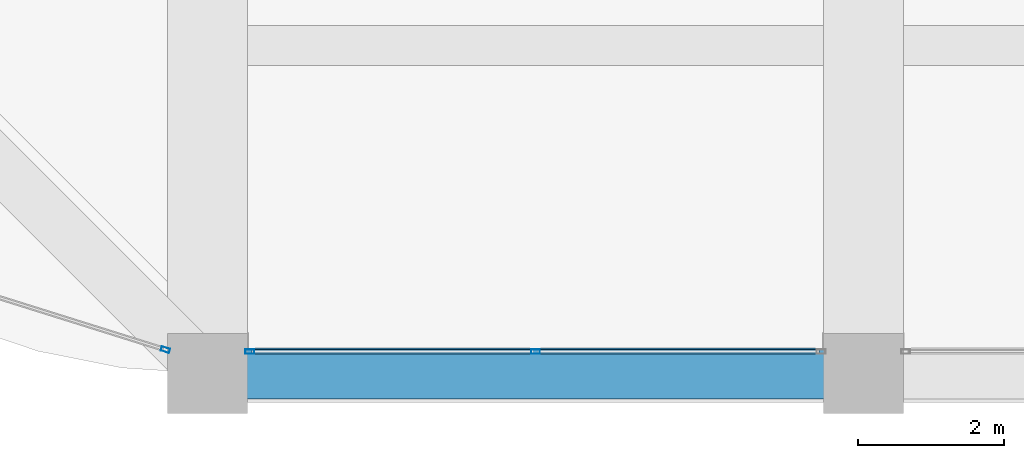
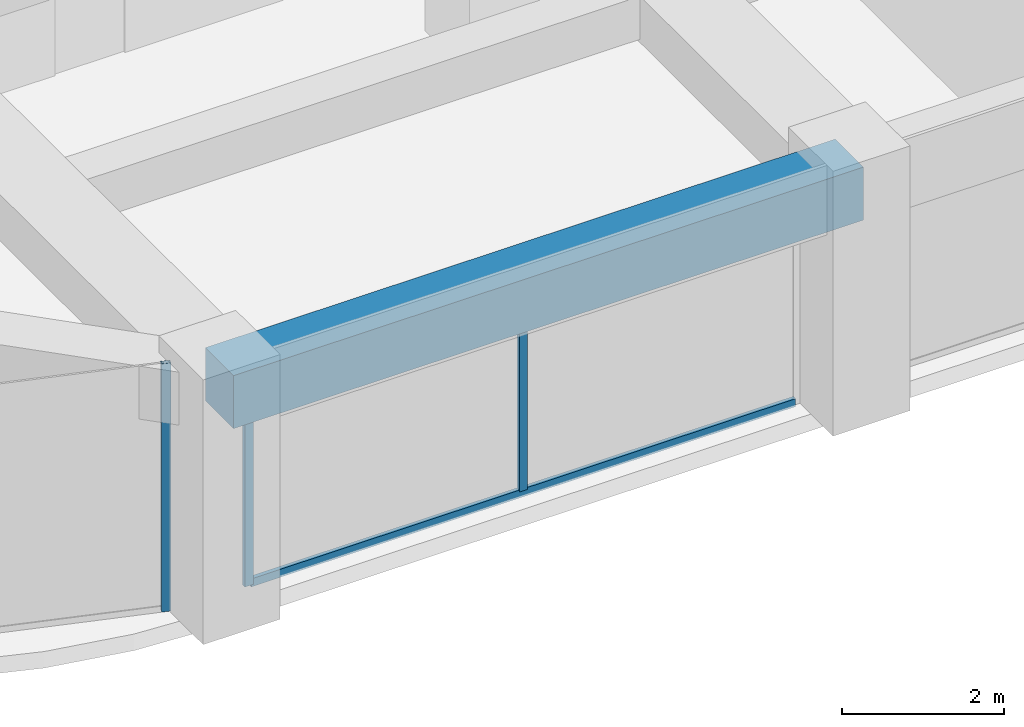
# One storey, part 4 of 44: 4 members, 1 beam, 2 elements without a shape of their own.
"""IFC4 building model written with IfcOpenShell, lengths in metres."""

import ifcopenshell
import ifcopenshell.guid

model = None  # the IFC model being written
_history = None  # IfcOwnerHistory: only IFC2X3 demands one
_inside = {}  # id of a spatial element -> (the spatial element, [elements in it])
_under = {}  # id of a project, library or spatial element -> (it, [spatial elements below it])
_declared = {}  # id of a project -> (the project, [libraries it declares])
_typed = {}  # id of a type object -> (the type object, [elements of that type])
_made_of = {}  # id of a material, layer set ... -> (it, [elements and type objects made of it])


def new_model(schema):
    """Start an empty IFC model of exactly this schema.

    Asked for "IFC4X3", IfcOpenShell would pick the latest addendum, in which some entities
    have other attributes; the version numbers below select the first issue.
    IFC2X3 requires an IfcOwnerHistory on every rooted entity: one is made here for all.
    """
    global model, _history
    if schema == "IFC4X3":
        model = ifcopenshell.file(schema_version=(4, 3, 0, 0))
    else:
        model = ifcopenshell.file(schema=schema)
    _inside.clear()
    _under.clear()
    _declared.clear()
    _typed.clear()
    _made_of.clear()
    _history = None
    if model.schema == "IFC2X3":
        org = make("IfcOrganization", Name="unknown")
        user = make(
            "IfcPersonAndOrganization",
            ThePerson=make("IfcPerson", FamilyName="unknown"),
            TheOrganization=org,
        )
        app = make(
            "IfcApplication",
            ApplicationDeveloper=org,
            Version="unknown",
            ApplicationFullName="unknown",
            ApplicationIdentifier="unknown",
        )
        _history = make(
            "IfcOwnerHistory",
            OwningUser=user,
            OwningApplication=app,
            ChangeAction="ADDED",
            CreationDate=0,
        )
    return model


def make(cls, **values):
    """One entity of the class cls with the attributes given. An attribute that is None is left unset."""
    return model.create_entity(
        cls, **{name: value for name, value in values.items() if value is not None}
    )


def rooted(cls, **values):
    """An entity with a GlobalId (a new one), such as an element, a storey or a relation."""
    return make(cls, GlobalId=ifcopenshell.guid.new(), OwnerHistory=_history, **values)


def si_unit(unit_type, name, prefix=None):
    """IfcSIUnit, for example si_unit("LENGTHUNIT", "METRE", prefix="MILLI")."""
    return make("IfcSIUnit", UnitType=unit_type, Prefix=prefix, Name=name)


def assignment(units):
    """IfcUnitAssignment: the units of a project."""
    return None if units is None else make("IfcUnitAssignment", Units=units)


def point(xyz):
    """IfcCartesianPoint."""
    return None if xyz is None else make("IfcCartesianPoint", Coordinates=xyz)


def direction(xyz):
    """IfcDirection."""
    return None if xyz is None else make("IfcDirection", DirectionRatios=xyz)


def frame(location, z_axis=None, x_axis=None):
    """IfcAxis2Placement3D, a coordinate frame: its origin and axes. An axis left out is left unset."""
    return make(
        "IfcAxis2Placement3D",
        Location=point(location),
        Axis=direction(z_axis),
        RefDirection=direction(x_axis),
    )


def frame_2d(location, x_axis=None):
    """IfcAxis2Placement2D, a coordinate frame in the plane: its origin and x axis."""
    return make(
        "IfcAxis2Placement2D", Location=point(location), RefDirection=direction(x_axis)
    )


def origin():
    """The frame at (0, 0, 0) with its axes left unset."""
    return frame((0.0, 0.0, 0.0))


def origin_2d():
    """The frame at (0, 0) in the plane with its x axis left unset."""
    return frame_2d((0.0, 0.0))


def place(relative_to, where):
    """IfcLocalPlacement: puts the frame where relative to a parent placement (None: the world)."""
    return make(
        "IfcLocalPlacement", PlacementRelTo=relative_to, RelativePlacement=where
    )


def context(
    kind, dimensions, precision=None, world=None, true_north=None, identifier=None
):
    """IfcGeometricRepresentationContext, for example the 3D "Model" context."""
    return make(
        "IfcGeometricRepresentationContext",
        ContextIdentifier=identifier,
        ContextType=kind,
        CoordinateSpaceDimension=dimensions,
        Precision=precision,
        WorldCoordinateSystem=world,
        TrueNorth=true_north,
    )


def subcontext(parent, identifier, kind, view, scale=None):
    """IfcGeometricRepresentationSubContext, for example "Body" below "Model"."""
    return make(
        "IfcGeometricRepresentationSubContext",
        ContextIdentifier=identifier,
        ContextType=kind,
        ParentContext=parent,
        TargetScale=scale,
        TargetView=view,
    )


def project(units=None, contexts=None):
    """IfcProject with its units and contexts."""
    return rooted(
        "IfcProject",
        Name="project",
        RepresentationContexts=contexts,
        UnitsInContext=assignment(units),
    )


def spatial(cls, under=None, at=None, **own):
    """A site, building, storey or space (cls), placed at a placement, below another one or the project."""
    s = rooted(cls, ObjectPlacement=at, **own)
    if under is not None:
        _under.setdefault(under.id(), (under, []))[1].append(s)
    return s


def profile(cls, at=None, kind="AREA", **sizes):
    """A parametric profile (cls). Its sizes go by their IFC names, for example OverallWidth=200.0."""
    return make(cls, ProfileType=kind, Position=at, **sizes)


def rectangle(**sizes):
    """IfcRectangleProfileDef."""
    return profile("IfcRectangleProfileDef", **sizes)


def hollow_rectangle(**sizes):
    """IfcRectangleHollowProfileDef."""
    return profile("IfcRectangleHollowProfileDef", **sizes)


def extrude(swept, where, along, depth):
    """IfcExtrudedAreaSolid: the profile swept, set in the frame where, extruded along a direction by depth."""
    return make(
        "IfcExtrudedAreaSolid",
        SweptArea=swept,
        Position=where,
        ExtrudedDirection=direction(along),
        Depth=depth,
    )


def shape(context_of_items, identifier, shape_type, items):
    """IfcShapeRepresentation: the items that make up one representation, for example the "Body"."""
    return make(
        "IfcShapeRepresentation",
        ContextOfItems=context_of_items,
        RepresentationIdentifier=identifier,
        RepresentationType=shape_type,
        Items=items,
    )


def material(Name=None, Category=None):
    """IfcMaterial."""
    return make("IfcMaterial", Name=Name, Category=Category)


def material_profile(
    of_material, cross_section, Name=None, Category=None, Priority=None
):
    """IfcMaterialProfile: a cross section and its material."""
    return make(
        "IfcMaterialProfile",
        Name=Name,
        Material=of_material,
        Profile=cross_section,
        Priority=Priority,
        Category=Category,
    )


def profile_set(profiles, Name=None, composite=None):
    """IfcMaterialProfileSet."""
    return make(
        "IfcMaterialProfileSet",
        Name=Name,
        MaterialProfiles=profiles,
        CompositeProfile=composite,
    )


def made_of(thing, what):
    """Note that an element or type object is made of a material, layer set ...; save() writes the relation."""
    if what is not None:
        _made_of.setdefault(what.id(), (what, []))[1].append(thing)
    return thing


def type_object(cls, material=None, **own):
    """A type object (cls), such as IfcWallType, which elements share."""
    return made_of(rooted(cls, **own), material)


def element(
    cls,
    number,
    at=None,
    inside=None,
    cuts=None,
    type_object=None,
    material=None,
    context=None,
    identifier="Body",
    shape_type=None,
    held_by="IfcProductDefinitionShape",
    body=None,
    shapes=None,
    **own,
):
    """One element of the class cls, such as IfcWall. Its Tag is "e" and its number.

    at: its placement. inside: the storey or other place that contains it. cuts: it is an
    opening in that element (IfcRelVoidsElement). A single representation is given by context,
    identifier, shape_type and body (its items); several are given by shapes. held_by: the class
    of the entity that holds the representations. save() writes the other relations.
    """
    e = rooted(cls, Tag="e%d" % number, ObjectPlacement=at, **own)
    if body is not None:
        shapes = [shape(context, identifier, shape_type, body)]
    if shapes is not None:
        e.Representation = make(held_by, Representations=shapes)
    if inside is not None:
        _inside.setdefault(inside.id(), (inside, []))[1].append(e)
    if cuts is not None:
        rooted(
            "IfcRelVoidsElement", RelatingBuildingElement=cuts, RelatedOpeningElement=e
        )
    if type_object is not None:
        _typed.setdefault(type_object.id(), (type_object, []))[1].append(e)
    return made_of(e, material)


def aggregate(whole, parts):
    """IfcRelAggregates: a whole, such as a stair, and the parts it consists of."""
    return rooted("IfcRelAggregates", RelatingObject=whole, RelatedObjects=parts)


def save(model, path):
    """Write the relations noted so far, then the file.

    IfcRelAggregates (storeys below a building ...), IfcRelContainedInSpatialStructure (elements
    in a storey), IfcRelDefinesByType, IfcRelAssociatesMaterial and IfcRelDeclares: one each for
    every whole, place, type object, material and project.
    """
    for whole, parts in _under.values():
        aggregate(whole, parts)
    for where, things in _inside.values():
        rooted(
            "IfcRelContainedInSpatialStructure",
            RelatedElements=things,
            RelatingStructure=where,
        )
    for kind, things in _typed.values():
        rooted("IfcRelDefinesByType", RelatedObjects=things, RelatingType=kind)
    for what, things in _made_of.values():
        rooted("IfcRelAssociatesMaterial", RelatedObjects=things, RelatingMaterial=what)
    for by, libraries in _declared.values():
        rooted("IfcRelDeclares", RelatingContext=by, RelatedDefinitions=libraries)
    model.write(path)


model = new_model("IFC4")

# Units and contexts
model_context = context("Model", 3, precision=1e-05, world=origin(), true_north=direction((0.0, 1.0)))
body_context = subcontext(model_context, "Body", "Model", "MODEL_VIEW")
ifc_project = project(units=[si_unit("LENGTHUNIT", "METRE"), si_unit("AREAUNIT", "SQUARE_METRE"), si_unit("VOLUMEUNIT", "CUBIC_METRE"), si_unit("PLANEANGLEUNIT", "RADIAN"), si_unit("MASSUNIT", "GRAM", prefix="KILO")], contexts=[model_context])

# Site, building, storey
site_placement = place(None, origin())
site = spatial("IfcSite", under=ifc_project, at=site_placement, CompositionType="ELEMENT")
building_placement = place(site_placement, origin())
building = spatial("IfcBuilding", under=site, at=building_placement, Name="Zorevar Civic Tower", CompositionType="ELEMENT")
storey_placement = place(building_placement, frame((0.0, 0.0, 255.39990234375)))
storey = spatial("IfcBuildingStorey", under=building, at=storey_placement, Name="L62", CompositionType="ELEMENT", Elevation=255.39990234375)

# Curtain wall, members
ifc_material_1 = material(Name="Dark grey solar-control glass in black aluminium frame", Category="aluminium")
curtain_wall_type = type_object("IfcCurtainWallType", Name="Curtain wall CW5 top zone", PredefinedType="NOTDEFINED", material=ifc_material_1)
curtain_wall_1_placement = place(storey_placement, origin())
curtain_wall_1 = element("IfcCurtainWall", 1, at=curtain_wall_1_placement, inside=storey, type_object=curtain_wall_type, Name="CW5 L62", PredefinedType="NOTDEFINED")
ifc_material_2 = material(Name="Aluminium, black anodised", Category="aluminium")
ifc_material_profile_1 = material_profile(ifc_material_2, hollow_rectangle(XDim=0.06005859375, YDim=0.1201171875, WallThickness=0.0029296875, at=origin_2d()), Name="AL 120x60x3")
ifc_profile_set_1 = profile_set([ifc_material_profile_1], Name="Aluminium, black anodised")
member_type_1 = type_object("IfcMemberType", Name="CW5 mullion AL 120x60x3", PredefinedType="MULLION", material=ifc_profile_set_1)
member_1_placement = place(storey_placement, frame((18.580078125, 0.300048828125, 0.0), z_axis=(0.0, 0.0, 1.0), x_axis=(0.0, 1.0, 0.0)))
member_1 = element("IfcMember", 2, at=member_1_placement, type_object=member_type_1, Name="CW5 mullion 1", PredefinedType="MULLION", context=body_context, shape_type="SweptSolid", body=[
    extrude(hollow_rectangle(XDim=0.06005859375, YDim=0.1201171875, WallThickness=0.0029296875, at=origin_2d()), origin(), (0.0, 0.0, 1.0), 2.9501953125),
])
member_2_placement = place(storey_placement, frame((22.5, 0.300048828125, 0.06005859375), z_axis=(0.0, 0.0, 1.0), x_axis=(0.0, 1.0, 0.0)))
member_2 = element("IfcMember", 3, at=member_2_placement, type_object=member_type_1, Name="CW5 mullion 2", PredefinedType="MULLION", context=body_context, shape_type="SweptSolid", body=[
    extrude(hollow_rectangle(XDim=0.06005859375, YDim=0.1201171875, WallThickness=0.0029296875, at=origin_2d()), origin(), (0.0, 0.0, 1.0), 2.89013671875),
])

# Curtain wall, member
curtain_wall_2_placement = place(storey_placement, origin())
curtain_wall_2 = element("IfcCurtainWall", 4, at=curtain_wall_2_placement, inside=storey, type_object=curtain_wall_type, Name="CW5 L62", PredefinedType="NOTDEFINED")
member_3_placement = place(storey_placement, frame((17.42138671875, 0.326416015625, 0.0), z_axis=(0.0, 0.0, 1.0), x_axis=(0.299317920238, 0.954153437674, 0.0)))
member_3 = element("IfcMember", 5, at=member_3_placement, type_object=member_type_1, Name="CW5 mullion 2", PredefinedType="MULLION", context=body_context, shape_type="SweptSolid", body=[
    extrude(hollow_rectangle(XDim=0.06005859375, YDim=0.1201171875, WallThickness=0.0029296875, at=origin_2d()), origin(), (0.0, 0.0, 1.0), 3.75),
])
aggregate(curtain_wall_2, [member_3])

# Member
ifc_material_3 = material(Name="Aluminium, black anodised", Category="aluminium")
ifc_material_profile_2 = material_profile(ifc_material_3, hollow_rectangle(XDim=0.06005859375, YDim=0.1201171875, WallThickness=0.0029296875, at=origin_2d()), Name="AL 120x60x3")
ifc_profile_set_2 = profile_set([ifc_material_profile_2], Name="Aluminium, black anodised")
member_type_2 = type_object("IfcMemberType", Name="CW5 transom AL 120x60x3", PredefinedType="USERDEFINED", material=ifc_profile_set_2)
member_4_placement = place(storey_placement, frame((18.610107421875, 0.300048828125, 0.030029296875), z_axis=(1.0, 0.0, 0.0), x_axis=(0.0, 1.0, 0.0)))
member_4 = element("IfcMember", 6, at=member_4_placement, type_object=member_type_2, Name="CW5 sill transom", ObjectType="TRANSOM", PredefinedType="USERDEFINED", context=body_context, shape_type="SweptSolid", body=[
    extrude(hollow_rectangle(XDim=0.06005859375, YDim=0.1201171875, WallThickness=0.0029296875, at=origin_2d()), origin(), (0.0, 0.0, 1.0), 7.77978515625),
])

aggregate(curtain_wall_1, [member_1, member_2, member_4])

# Beam
ifc_material_4 = material(Name="Concrete C50/60", Category="concrete")
ifc_material_profile_3 = material_profile(ifc_material_4, rectangle(XDim=0.699951171875, YDim=0.800048828125, at=origin_2d()), Name="RC 700x800")
ifc_profile_set_3 = profile_set([ifc_material_profile_3], Name="Concrete C50/60")
beam_type = type_object("IfcBeamType", Name="Edge beam RC 700x800", PredefinedType="SPANDREL", material=ifc_profile_set_3)
beam_placement = place(storey_placement, frame((18.0, 0.0, 3.35009765625), z_axis=(1.0, 0.0, 0.0), x_axis=(0.0, 1.0, 0.0)))
element("IfcBeam", 7, at=beam_placement, inside=storey, type_object=beam_type, Name="Edge beam L63", PredefinedType="SPANDREL", context=body_context, shape_type="SweptSolid", body=[
    extrude(rectangle(XDim=0.699951171875, YDim=0.800048828125, at=origin_2d()), origin(), (0.0, 0.0, 1.0), 9.0),
])

save(model, "model.ifc")
